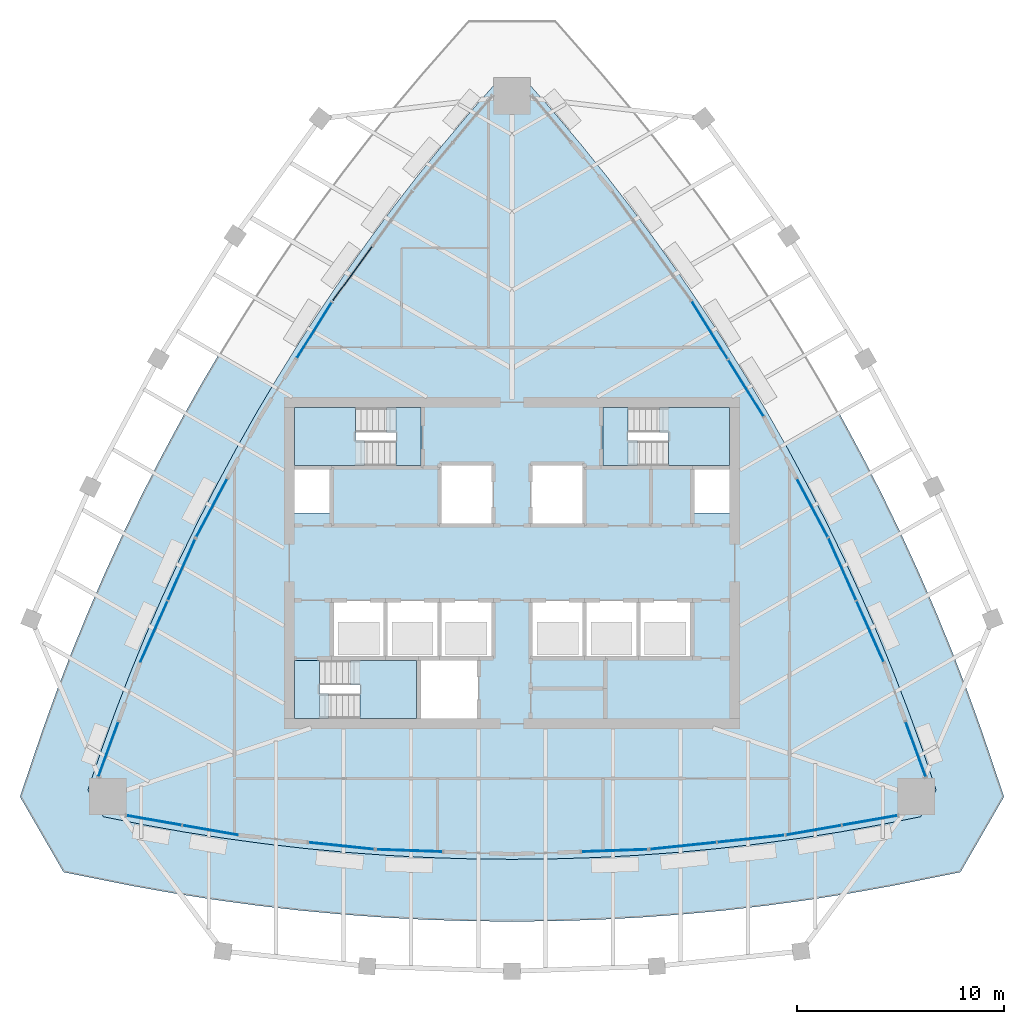
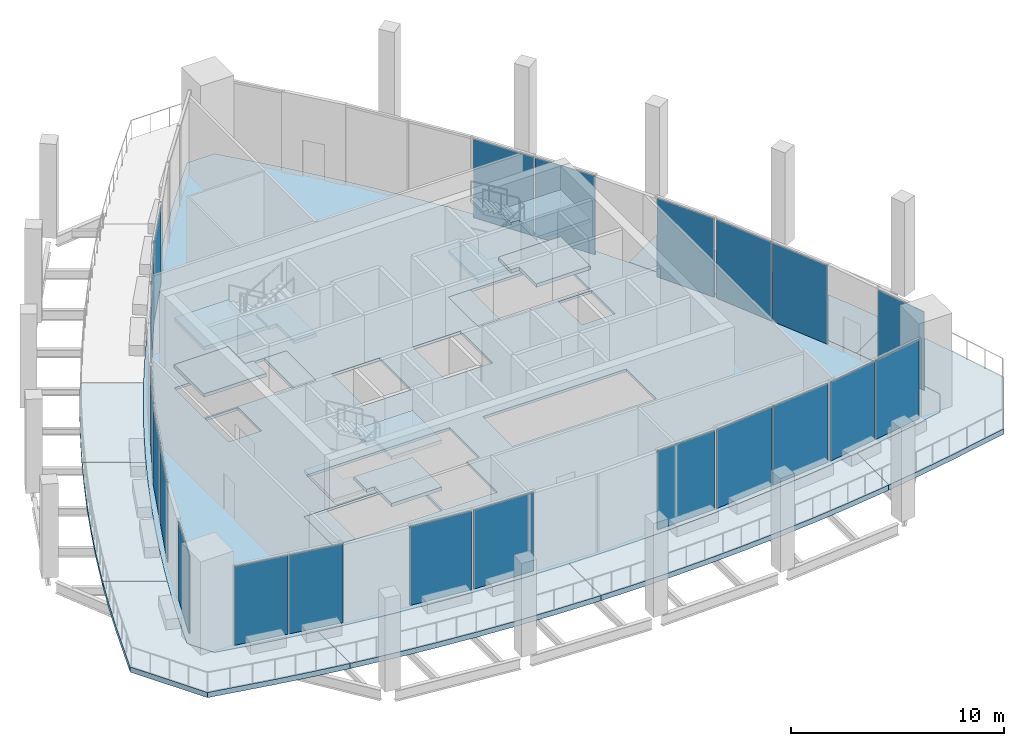
# One storey, part 6 of 14: 21 plates, 20 slabs, 18 elements without a shape of their own.
"""IFC4 building model written with IfcOpenShell, lengths in metres."""

import ifcopenshell
import ifcopenshell.guid

model = None  # the IFC model being written
_history = None  # IfcOwnerHistory: only IFC2X3 demands one
_inside = {}  # id of a spatial element -> (the spatial element, [elements in it])
_under = {}  # id of a project, library or spatial element -> (it, [spatial elements below it])
_declared = {}  # id of a project -> (the project, [libraries it declares])
_typed = {}  # id of a type object -> (the type object, [elements of that type])
_made_of = {}  # id of a material, layer set ... -> (it, [elements and type objects made of it])


def new_model(schema):
    """Start an empty IFC model of exactly this schema.

    Asked for "IFC4X3", IfcOpenShell would pick the latest addendum, in which some entities
    have other attributes; the version numbers below select the first issue.
    IFC2X3 requires an IfcOwnerHistory on every rooted entity: one is made here for all.
    """
    global model, _history
    if schema == "IFC4X3":
        model = ifcopenshell.file(schema_version=(4, 3, 0, 0))
    else:
        model = ifcopenshell.file(schema=schema)
    _inside.clear()
    _under.clear()
    _declared.clear()
    _typed.clear()
    _made_of.clear()
    _history = None
    if model.schema == "IFC2X3":
        org = make("IfcOrganization", Name="unknown")
        user = make(
            "IfcPersonAndOrganization",
            ThePerson=make("IfcPerson", FamilyName="unknown"),
            TheOrganization=org,
        )
        app = make(
            "IfcApplication",
            ApplicationDeveloper=org,
            Version="unknown",
            ApplicationFullName="unknown",
            ApplicationIdentifier="unknown",
        )
        _history = make(
            "IfcOwnerHistory",
            OwningUser=user,
            OwningApplication=app,
            ChangeAction="ADDED",
            CreationDate=0,
        )
    return model


def make(cls, **values):
    """One entity of the class cls with the attributes given. An attribute that is None is left unset."""
    return model.create_entity(
        cls, **{name: value for name, value in values.items() if value is not None}
    )


def rooted(cls, **values):
    """An entity with a GlobalId (a new one), such as an element, a storey or a relation."""
    return make(cls, GlobalId=ifcopenshell.guid.new(), OwnerHistory=_history, **values)


def si_unit(unit_type, name, prefix=None):
    """IfcSIUnit, for example si_unit("LENGTHUNIT", "METRE", prefix="MILLI")."""
    return make("IfcSIUnit", UnitType=unit_type, Prefix=prefix, Name=name)


def assignment(units):
    """IfcUnitAssignment: the units of a project."""
    return None if units is None else make("IfcUnitAssignment", Units=units)


def point(xyz):
    """IfcCartesianPoint."""
    return None if xyz is None else make("IfcCartesianPoint", Coordinates=xyz)


def direction(xyz):
    """IfcDirection."""
    return None if xyz is None else make("IfcDirection", DirectionRatios=xyz)


def frame(location, z_axis=None, x_axis=None):
    """IfcAxis2Placement3D, a coordinate frame: its origin and axes. An axis left out is left unset."""
    return make(
        "IfcAxis2Placement3D",
        Location=point(location),
        Axis=direction(z_axis),
        RefDirection=direction(x_axis),
    )


def frame_2d(location, x_axis=None):
    """IfcAxis2Placement2D, a coordinate frame in the plane: its origin and x axis."""
    return make(
        "IfcAxis2Placement2D", Location=point(location), RefDirection=direction(x_axis)
    )


def origin():
    """The frame at (0, 0, 0) with its axes left unset."""
    return frame((0.0, 0.0, 0.0))


def origin_2d():
    """The frame at (0, 0) in the plane with its x axis left unset."""
    return frame_2d((0.0, 0.0))


def place(relative_to, where):
    """IfcLocalPlacement: puts the frame where relative to a parent placement (None: the world)."""
    return make(
        "IfcLocalPlacement", PlacementRelTo=relative_to, RelativePlacement=where
    )


def context(
    kind, dimensions, precision=None, world=None, true_north=None, identifier=None
):
    """IfcGeometricRepresentationContext, for example the 3D "Model" context."""
    return make(
        "IfcGeometricRepresentationContext",
        ContextIdentifier=identifier,
        ContextType=kind,
        CoordinateSpaceDimension=dimensions,
        Precision=precision,
        WorldCoordinateSystem=world,
        TrueNorth=true_north,
    )


def subcontext(parent, identifier, kind, view, scale=None):
    """IfcGeometricRepresentationSubContext, for example "Body" below "Model"."""
    return make(
        "IfcGeometricRepresentationSubContext",
        ContextIdentifier=identifier,
        ContextType=kind,
        ParentContext=parent,
        TargetScale=scale,
        TargetView=view,
    )


def project(units=None, contexts=None):
    """IfcProject with its units and contexts."""
    return rooted(
        "IfcProject",
        Name="project",
        RepresentationContexts=contexts,
        UnitsInContext=assignment(units),
    )


def spatial(cls, under=None, at=None, **own):
    """A site, building, storey or space (cls), placed at a placement, below another one or the project."""
    s = rooted(cls, ObjectPlacement=at, **own)
    if under is not None:
        _under.setdefault(under.id(), (under, []))[1].append(s)
    return s


def polyline(points):
    """IfcPolyline through the points."""
    return make("IfcPolyline", Points=[point(p) for p in points])


def profile(cls, at=None, kind="AREA", **sizes):
    """A parametric profile (cls). Its sizes go by their IFC names, for example OverallWidth=200.0."""
    return make(cls, ProfileType=kind, Position=at, **sizes)


def rectangle(**sizes):
    """IfcRectangleProfileDef."""
    return profile("IfcRectangleProfileDef", **sizes)


def outline(outer, holes=None, kind="AREA"):
    """IfcArbitraryClosedProfileDef: a profile drawn as a closed curve; with holes, ...WithVoids."""
    if holes is None:
        return make("IfcArbitraryClosedProfileDef", ProfileType=kind, OuterCurve=outer)
    return make(
        "IfcArbitraryProfileDefWithVoids",
        ProfileType=kind,
        OuterCurve=outer,
        InnerCurves=holes,
    )


def extrude(swept, where, along, depth):
    """IfcExtrudedAreaSolid: the profile swept, set in the frame where, extruded along a direction by depth."""
    return make(
        "IfcExtrudedAreaSolid",
        SweptArea=swept,
        Position=where,
        ExtrudedDirection=direction(along),
        Depth=depth,
    )


def shape(context_of_items, identifier, shape_type, items):
    """IfcShapeRepresentation: the items that make up one representation, for example the "Body"."""
    return make(
        "IfcShapeRepresentation",
        ContextOfItems=context_of_items,
        RepresentationIdentifier=identifier,
        RepresentationType=shape_type,
        Items=items,
    )


def material(Name=None, Category=None):
    """IfcMaterial."""
    return make("IfcMaterial", Name=Name, Category=Category)


def layer(
    of_material, thickness, ventilated=None, Name=None, Category=None, Priority=None
):
    """IfcMaterialLayer: one layer of a wall or slab, of a material (None: an air gap)."""
    return make(
        "IfcMaterialLayer",
        Material=of_material,
        LayerThickness=thickness,
        IsVentilated=ventilated,
        Name=Name,
        Category=Category,
        Priority=Priority,
    )


def layer_set(layers, Name=None):
    """IfcMaterialLayerSet."""
    return make("IfcMaterialLayerSet", MaterialLayers=layers, LayerSetName=Name)


def made_of(thing, what):
    """Note that an element or type object is made of a material, layer set ...; save() writes the relation."""
    if what is not None:
        _made_of.setdefault(what.id(), (what, []))[1].append(thing)
    return thing


def type_object(cls, material=None, **own):
    """A type object (cls), such as IfcWallType, which elements share."""
    return made_of(rooted(cls, **own), material)


def element(
    cls,
    number,
    at=None,
    inside=None,
    cuts=None,
    type_object=None,
    material=None,
    context=None,
    identifier="Body",
    shape_type=None,
    held_by="IfcProductDefinitionShape",
    body=None,
    shapes=None,
    **own,
):
    """One element of the class cls, such as IfcWall. Its Tag is "e" and its number.

    at: its placement. inside: the storey or other place that contains it. cuts: it is an
    opening in that element (IfcRelVoidsElement). A single representation is given by context,
    identifier, shape_type and body (its items); several are given by shapes. held_by: the class
    of the entity that holds the representations. save() writes the other relations.
    """
    e = rooted(cls, Tag="e%d" % number, ObjectPlacement=at, **own)
    if body is not None:
        shapes = [shape(context, identifier, shape_type, body)]
    if shapes is not None:
        e.Representation = make(held_by, Representations=shapes)
    if inside is not None:
        _inside.setdefault(inside.id(), (inside, []))[1].append(e)
    if cuts is not None:
        rooted(
            "IfcRelVoidsElement", RelatingBuildingElement=cuts, RelatedOpeningElement=e
        )
    if type_object is not None:
        _typed.setdefault(type_object.id(), (type_object, []))[1].append(e)
    return made_of(e, material)


def aggregate(whole, parts):
    """IfcRelAggregates: a whole, such as a stair, and the parts it consists of."""
    return rooted("IfcRelAggregates", RelatingObject=whole, RelatedObjects=parts)


def save(model, path):
    """Write the relations noted so far, then the file.

    IfcRelAggregates (storeys below a building ...), IfcRelContainedInSpatialStructure (elements
    in a storey), IfcRelDefinesByType, IfcRelAssociatesMaterial and IfcRelDeclares: one each for
    every whole, place, type object, material and project.
    """
    for whole, parts in _under.values():
        aggregate(whole, parts)
    for where, things in _inside.values():
        rooted(
            "IfcRelContainedInSpatialStructure",
            RelatedElements=things,
            RelatingStructure=where,
        )
    for kind, things in _typed.values():
        rooted("IfcRelDefinesByType", RelatedObjects=things, RelatingType=kind)
    for what, things in _made_of.values():
        rooted("IfcRelAssociatesMaterial", RelatedObjects=things, RelatingMaterial=what)
    for by, libraries in _declared.values():
        rooted("IfcRelDeclares", RelatingContext=by, RelatedDefinitions=libraries)
    model.write(path)


model = new_model("IFC4")

# Units and contexts
model_context = context("Model", 3, precision=1e-05, world=origin(), true_north=direction((0.0, 1.0)))
body_context = subcontext(model_context, "Body", "Model", "MODEL_VIEW")
ifc_project = project(units=[si_unit("LENGTHUNIT", "METRE"), si_unit("AREAUNIT", "SQUARE_METRE"), si_unit("VOLUMEUNIT", "CUBIC_METRE"), si_unit("PLANEANGLEUNIT", "RADIAN"), si_unit("MASSUNIT", "GRAM", prefix="KILO")], contexts=[model_context])

# Site, building, storey
site_placement = place(None, origin())
site = spatial("IfcSite", under=ifc_project, at=site_placement, CompositionType="ELEMENT")
building_placement = place(site_placement, origin())
building = spatial("IfcBuilding", under=site, at=building_placement, Name="Sierra Prisma Convention Tower", CompositionType="ELEMENT")
storey_placement = place(building_placement, frame((0.0, 0.0, 339.39990234375)))
storey = spatial("IfcBuildingStorey", under=building, at=storey_placement, Name="L76", CompositionType="ELEMENT", Elevation=339.39990234375)

# Curtain wall, plates
ifc_material_1 = material(Name="Aluminium and glass curtain wall", Category="aluminium")
ifc_layer_1 = layer(ifc_material_1, 0.179931640625)
ifc_layer_set_1 = layer_set([ifc_layer_1], Name="CW-5 Observation lounge curtain wall")
curtain_wall_type = type_object("IfcCurtainWallType", Name="CW-5 Observation lounge curtain wall", PredefinedType="NOTDEFINED", material=ifc_layer_set_1)
curtain_wall_1_placement = place(storey_placement, origin())
curtain_wall_1 = element("IfcCurtainWall", 1, at=curtain_wall_1_placement, inside=storey, type_object=curtain_wall_type, Name="CW-5 CS1 L76", PredefinedType="NOTDEFINED")
ifc_material_2 = material(Name="Tinted glass bronze-grey IGU", Category="glass")
ifc_layer_2 = layer(ifc_material_2, 0.0400390625)
ifc_layer_set_2 = layer_set([ifc_layer_2], Name="CW-5 glass panel")
plate_type = type_object("IfcPlateType", Name="CW-5 glass panel", PredefinedType="CURTAIN_PANEL", material=ifc_layer_set_2)
plate_1_placement = place(storey_placement, frame((-17.27294921875, -12.4189453125, 0.0), z_axis=(0.0, 0.0, 1.0), x_axis=(0.985059501445, -0.172214339159, 0.0)))
plate_1 = element("IfcPlate", 2, at=plate_1_placement, type_object=plate_type, Name="CW-5 panel CS1.1", PredefinedType="CURTAIN_PANEL", context=body_context, shape_type="SweptSolid", body=[
    extrude(rectangle(XDim=2.686767578125, YDim=0.0400390625, at=origin_2d()), origin(), (0.0, 0.0, 1.0), 4.52001953125),
])
plate_2_placement = place(storey_placement, frame((-14.55712890625, -12.893798828125, 0.0), z_axis=(0.0, 0.0, 1.0), x_axis=(0.985059501445, -0.172214339159, 0.0)))
plate_2 = element("IfcPlate", 3, at=plate_2_placement, type_object=plate_type, Name="CW-5 panel CS1.2", PredefinedType="CURTAIN_PANEL", context=body_context, shape_type="SweptSolid", body=[
    extrude(rectangle(XDim=2.686767578125, YDim=0.0400390625, at=origin_2d()), origin(), (0.0, 0.0, 1.0), 4.52001953125),
])
aggregate(curtain_wall_1, [plate_1, plate_2])

# Curtain wall, plate
curtain_wall_2_placement = place(storey_placement, origin())
curtain_wall_2 = element("IfcCurtainWall", 4, at=curtain_wall_2_placement, inside=storey, type_object=curtain_wall_type, Name="CW-5 CS2 L76", PredefinedType="NOTDEFINED")
plate_3_placement = place(storey_placement, frame((-8.239990234375, -13.650390625, 0.0), z_axis=(0.0, 0.0, 1.0), x_axis=(0.994612817709, -0.103659745555, 0.0)))
plate_3 = element("IfcPlate", 5, at=plate_3_placement, type_object=plate_type, Name="CW-5 panel CS2.1", PredefinedType="CURTAIN_PANEL", context=body_context, shape_type="SweptSolid", body=[
    extrude(rectangle(XDim=3.1611328125, YDim=0.0400390625, at=origin_2d()), origin(), (0.0, 0.0, 1.0), 4.52001953125),
])
aggregate(curtain_wall_2, [plate_3])

curtain_wall_3_placement = place(storey_placement, origin())
curtain_wall_3 = element("IfcCurtainWall", 6, at=curtain_wall_3_placement, inside=storey, type_object=curtain_wall_type, Name="CW-5 CS3 L76", PredefinedType="NOTDEFINED")
plate_4_placement = place(storey_placement, frame((-4.94873046875, -13.878662109375, 0.0), z_axis=(0.0, 0.0, 1.0), x_axis=(0.999400945798, -0.034608518301, 0.0)))
plate_4 = element("IfcPlate", 7, at=plate_4_placement, type_object=plate_type, Name="CW-5 panel CS3.1", PredefinedType="CURTAIN_PANEL", context=body_context, shape_type="SweptSolid", body=[
    extrude(rectangle(XDim=3.1611328125, YDim=0.0400390625, at=origin_2d()), origin(), (0.0, 0.0, 1.0), 4.52001953125),
])
aggregate(curtain_wall_3, [plate_4])

curtain_wall_4_placement = place(storey_placement, origin())
curtain_wall_4 = element("IfcCurtainWall", 8, at=curtain_wall_4_placement, inside=storey, type_object=curtain_wall_type, Name="CW-5 CS4 L76", PredefinedType="NOTDEFINED")
plate_5_placement = place(storey_placement, frame((4.94873046875, -13.878662109375, 0.0), z_axis=(0.0, 0.0, 1.0), x_axis=(0.999400945798, 0.034608518301, 0.0)))
plate_5 = element("IfcPlate", 9, at=plate_5_placement, type_object=plate_type, Name="CW-5 panel CS4.1", PredefinedType="CURTAIN_PANEL", context=body_context, shape_type="SweptSolid", body=[
    extrude(rectangle(XDim=3.1611328125, YDim=0.0400390625, at=origin_2d()), origin(), (0.0, 0.0, 1.0), 4.52001953125),
])
aggregate(curtain_wall_4, [plate_5])

# Curtain wall, plates
curtain_wall_5_placement = place(storey_placement, origin())
curtain_wall_5 = element("IfcCurtainWall", 10, at=curtain_wall_5_placement, inside=storey, type_object=curtain_wall_type, Name="CW-5 CS5 L76", PredefinedType="NOTDEFINED")
plate_6_placement = place(storey_placement, frame((8.25732421875, -13.648681640625, 0.0), z_axis=(0.0, 0.0, 1.0), x_axis=(0.994612817709, 0.103659745555, 0.0)))
plate_6 = element("IfcPlate", 11, at=plate_6_placement, type_object=plate_type, Name="CW-5 panel CS5.1", PredefinedType="CURTAIN_PANEL", context=body_context, shape_type="SweptSolid", body=[
    extrude(rectangle(XDim=3.196044921875, YDim=0.0400390625, at=origin_2d()), origin(), (0.0, 0.0, 1.0), 4.52001953125),
])
plate_7_placement = place(storey_placement, frame((11.505859375, -13.31005859375, 0.0), z_axis=(0.0, 0.0, 1.0), x_axis=(0.994612817709, 0.103659745555, 0.0)))
plate_7 = element("IfcPlate", 12, at=plate_7_placement, type_object=plate_type, Name="CW-5 panel CS5.2", PredefinedType="CURTAIN_PANEL", context=body_context, shape_type="SweptSolid", body=[
    extrude(rectangle(XDim=3.196044921875, YDim=0.0400390625, at=origin_2d()), origin(), (0.0, 0.0, 1.0), 4.52001953125),
])
aggregate(curtain_wall_5, [plate_6, plate_7])

curtain_wall_6_placement = place(storey_placement, origin())
curtain_wall_6 = element("IfcCurtainWall", 13, at=curtain_wall_6_placement, inside=storey, type_object=curtain_wall_type, Name="CW-5 CS6 L76", PredefinedType="NOTDEFINED")
plate_8_placement = place(storey_placement, frame((14.55712890625, -12.893798828125, 0.0), z_axis=(0.0, 0.0, 1.0), x_axis=(0.985059501445, 0.172214339159, 0.0)))
plate_8 = element("IfcPlate", 14, at=plate_8_placement, type_object=plate_type, Name="CW-5 panel CS6.1", PredefinedType="CURTAIN_PANEL", context=body_context, shape_type="SweptSolid", body=[
    extrude(rectangle(XDim=2.686767578125, YDim=0.0400390625, at=origin_2d()), origin(), (0.0, 0.0, 1.0), 4.52001953125),
])
plate_9_placement = place(storey_placement, frame((17.272705078125, -12.4189453125, 0.0), z_axis=(0.0, 0.0, 1.0), x_axis=(0.985059501445, 0.172214339159, 0.0)))
plate_9 = element("IfcPlate", 15, at=plate_9_placement, type_object=plate_type, Name="CW-5 panel CS6.2", PredefinedType="CURTAIN_PANEL", context=body_context, shape_type="SweptSolid", body=[
    extrude(rectangle(XDim=2.686767578125, YDim=0.0400390625, at=origin_2d()), origin(), (0.0, 0.0, 1.0), 4.52001953125),
])
aggregate(curtain_wall_6, [plate_8, plate_9])

# Curtain wall, plate
curtain_wall_7_placement = place(storey_placement, origin())
curtain_wall_7 = element("IfcCurtainWall", 16, at=curtain_wall_7_placement, inside=storey, type_object=curtain_wall_type, Name="CW-5 CNE1 L76", PredefinedType="NOTDEFINED")
plate_10_placement = place(storey_placement, frame((19.480224609375, -8.991455078125, 0.0), z_axis=(0.0, 0.0, 1.0), x_axis=(-0.343387758115, 0.939193722071, 0.0)))
plate_10 = element("IfcPlate", 17, at=plate_10_placement, type_object=plate_type, Name="CW-5 panel CNE1.1", PredefinedType="CURTAIN_PANEL", context=body_context, shape_type="SweptSolid", body=[
    extrude(rectangle(XDim=2.812255859375, YDim=0.0400390625, at=origin_2d()), origin(), (0.0, 0.0, 1.0), 4.52001953125),
])
aggregate(curtain_wall_7, [plate_10])

# Curtain wall, plates
curtain_wall_8_placement = place(storey_placement, origin())
curtain_wall_8 = element("IfcCurtainWall", 18, at=curtain_wall_8_placement, inside=storey, type_object=curtain_wall_type, Name="CW-5 CNE2 L76", PredefinedType="NOTDEFINED")
plate_11_placement = place(storey_placement, frame((17.27978515625, -3.309326171875, 0.0), z_axis=(0.0, 0.0, 1.0), x_axis=(-0.407534435854, 0.913189839843, 0.0)))
plate_11 = element("IfcPlate", 19, at=plate_11_placement, type_object=plate_type, Name="CW-5 panel CNE2.1", PredefinedType="CURTAIN_PANEL", context=body_context, shape_type="SweptSolid", body=[
    extrude(rectangle(XDim=3.196044921875, YDim=0.0400390625, at=origin_2d()), origin(), (0.0, 0.0, 1.0), 4.52001953125),
])
plate_12_placement = place(storey_placement, frame((15.94873046875, -0.32666015625, 0.0), z_axis=(0.0, 0.0, 1.0), x_axis=(-0.407534435854, 0.913189839843, 0.0)))
plate_12 = element("IfcPlate", 20, at=plate_12_placement, type_object=plate_type, Name="CW-5 panel CNE2.2", PredefinedType="CURTAIN_PANEL", context=body_context, shape_type="SweptSolid", body=[
    extrude(rectangle(XDim=3.196044921875, YDim=0.0400390625, at=origin_2d()), origin(), (0.0, 0.0, 1.0), 4.52001953125),
])
aggregate(curtain_wall_8, [plate_11, plate_12])

# Curtain wall, plate
curtain_wall_9_placement = place(storey_placement, origin())
curtain_wall_9 = element("IfcCurtainWall", 21, at=curtain_wall_9_placement, inside=storey, type_object=curtain_wall_type, Name="CW-5 CNE3 L76", PredefinedType="NOTDEFINED")
plate_13_placement = place(storey_placement, frame((14.49365234375, 2.653564453125, 0.0), z_axis=(0.0, 0.0, 1.0), x_axis=(-0.469728616863, 0.882810866777, 0.0)))
plate_13 = element("IfcPlate", 22, at=plate_13_placement, type_object=plate_type, Name="CW-5 panel CNE3.1", PredefinedType="CURTAIN_PANEL", context=body_context, shape_type="SweptSolid", body=[
    extrude(rectangle(XDim=3.1611328125, YDim=0.0400390625, at=origin_2d()), origin(), (0.0, 0.0, 1.0), 4.52001953125),
])
aggregate(curtain_wall_9, [plate_13])

# Curtain wall, plates
curtain_wall_10_placement = place(storey_placement, origin())
curtain_wall_10 = element("IfcCurtainWall", 23, at=curtain_wall_10_placement, inside=storey, type_object=curtain_wall_type, Name="CW-5 CNE4 L76", PredefinedType="NOTDEFINED")
plate_14_placement = place(storey_placement, frame((11.2841796875, 8.43994140625, 0.0), z_axis=(0.0, 0.0, 1.0), x_axis=(-0.529672328935, 0.848202348476, 0.0)))
plate_14 = element("IfcPlate", 24, at=plate_14_placement, type_object=plate_type, Name="CW-5 panel CNE4.1", PredefinedType="CURTAIN_PANEL", context=body_context, shape_type="SweptSolid", body=[
    extrude(rectangle(XDim=3.196044921875, YDim=0.0400390625, at=origin_2d()), origin(), (0.0, 0.0, 1.0), 4.52001953125),
])
plate_15_placement = place(storey_placement, frame((9.55419921875, 11.210205078125, 0.0), z_axis=(0.0, 0.0, 1.0), x_axis=(-0.529672328935, 0.848202348476, 0.0)))
plate_15 = element("IfcPlate", 25, at=plate_15_placement, type_object=plate_type, Name="CW-5 panel CNE4.2", PredefinedType="CURTAIN_PANEL", context=body_context, shape_type="SweptSolid", body=[
    extrude(rectangle(XDim=3.196044921875, YDim=0.0400390625, at=origin_2d()), origin(), (0.0, 0.0, 1.0), 4.52001953125),
])
aggregate(curtain_wall_10, [plate_14, plate_15])

# Curtain wall, plate
curtain_wall_11_placement = place(storey_placement, origin())
curtain_wall_11 = element("IfcCurtainWall", 26, at=curtain_wall_11_placement, inside=storey, type_object=curtain_wall_type, Name="CW-5 CNW2 L76", PredefinedType="NOTDEFINED")
plate_16_placement = place(storey_placement, frame((-7.69140625, 13.975341796875, 0.0), z_axis=(0.0, 0.0, 1.0), x_axis=(-0.587078381855, -0.809530094288, 0.0)))
plate_16 = element("IfcPlate", 27, at=plate_16_placement, type_object=plate_type, Name="CW-5 panel CNW2.2", PredefinedType="CURTAIN_PANEL", context=body_context, shape_type="SweptSolid", body=[
    extrude(rectangle(XDim=3.196044921875, YDim=0.0400390625, at=origin_2d()), origin(), (0.0, 0.0, 1.0), 4.52001953125),
])
aggregate(curtain_wall_11, [plate_16])

curtain_wall_12_placement = place(storey_placement, origin())
curtain_wall_12 = element("IfcCurtainWall", 28, at=curtain_wall_12_placement, inside=storey, type_object=curtain_wall_type, Name="CW-5 CNW3 L76", PredefinedType="NOTDEFINED")
plate_17_placement = place(storey_placement, frame((-9.544921875, 11.22509765625, 0.0), z_axis=(0.0, 0.0, 1.0), x_axis=(-0.529672328935, -0.848202348476, 0.0)))
plate_17 = element("IfcPlate", 29, at=plate_17_placement, type_object=plate_type, Name="CW-5 panel CNW3.1", PredefinedType="CURTAIN_PANEL", context=body_context, shape_type="SweptSolid", body=[
    extrude(rectangle(XDim=3.1611328125, YDim=0.0400390625, at=origin_2d()), origin(), (0.0, 0.0, 1.0), 4.52001953125),
])
aggregate(curtain_wall_12, [plate_17])

curtain_wall_13_placement = place(storey_placement, origin())
curtain_wall_13 = element("IfcCurtainWall", 30, at=curtain_wall_13_placement, inside=storey, type_object=curtain_wall_type, Name="CW-5 CNW4 L76", PredefinedType="NOTDEFINED")
plate_18_placement = place(storey_placement, frame((-14.49365234375, 2.653564453125, 0.0), z_axis=(0.0, 0.0, 1.0), x_axis=(-0.469728616863, -0.882810866777, 0.0)))
plate_18 = element("IfcPlate", 31, at=plate_18_placement, type_object=plate_type, Name="CW-5 panel CNW4.1", PredefinedType="CURTAIN_PANEL", context=body_context, shape_type="SweptSolid", body=[
    extrude(rectangle(XDim=3.1611328125, YDim=0.0400390625, at=origin_2d()), origin(), (0.0, 0.0, 1.0), 4.52001953125),
])
aggregate(curtain_wall_13, [plate_18])

# Curtain wall, plates
curtain_wall_14_placement = place(storey_placement, origin())
curtain_wall_14 = element("IfcCurtainWall", 32, at=curtain_wall_14_placement, inside=storey, type_object=curtain_wall_type, Name="CW-5 CNW5 L76", PredefinedType="NOTDEFINED")
plate_19_placement = place(storey_placement, frame((-15.94873046875, -0.32666015625, 0.0), z_axis=(0.0, 0.0, 1.0), x_axis=(-0.407534435854, -0.913189839843, 0.0)))
plate_19 = element("IfcPlate", 33, at=plate_19_placement, type_object=plate_type, Name="CW-5 panel CNW5.1", PredefinedType="CURTAIN_PANEL", context=body_context, shape_type="SweptSolid", body=[
    extrude(rectangle(XDim=3.196044921875, YDim=0.0400390625, at=origin_2d()), origin(), (0.0, 0.0, 1.0), 4.52001953125),
])
plate_20_placement = place(storey_placement, frame((-17.27978515625, -3.309326171875, 0.0), z_axis=(0.0, 0.0, 1.0), x_axis=(-0.407534435854, -0.913189839843, 0.0)))
plate_20 = element("IfcPlate", 34, at=plate_20_placement, type_object=plate_type, Name="CW-5 panel CNW5.2", PredefinedType="CURTAIN_PANEL", context=body_context, shape_type="SweptSolid", body=[
    extrude(rectangle(XDim=3.196044921875, YDim=0.0400390625, at=origin_2d()), origin(), (0.0, 0.0, 1.0), 4.52001953125),
])
aggregate(curtain_wall_14, [plate_19, plate_20])

# Curtain wall, plate
curtain_wall_15_placement = place(storey_placement, origin())
curtain_wall_15 = element("IfcCurtainWall", 35, at=curtain_wall_15_placement, inside=storey, type_object=curtain_wall_type, Name="CW-5 CNW6 L76", PredefinedType="NOTDEFINED")
plate_21_placement = place(storey_placement, frame((-19.479736328125, -8.99072265625, 0.0), z_axis=(0.0, 0.0, 1.0), x_axis=(-0.343387758115, -0.939193722071, 0.0)))
plate_21 = element("IfcPlate", 36, at=plate_21_placement, type_object=plate_type, Name="CW-5 panel CNW6.1", PredefinedType="CURTAIN_PANEL", context=body_context, shape_type="SweptSolid", body=[
    extrude(rectangle(XDim=2.811767578125, YDim=0.0400390625, at=origin_2d()), origin(), (0.0, 0.0, 1.0), 4.52001953125),
])
aggregate(curtain_wall_15, [plate_21])

# Slabs
ifc_material_3 = material(Name="Concrete C35/45", Category="concrete")
ifc_layer_3 = layer(ifc_material_3, 0.14990234375)
ifc_layer_set_3 = layer_set([ifc_layer_3], Name="Composite floor slab 150")
slab_type_1 = type_object("IfcSlabType", Name="Composite floor slab 150", PredefinedType="FLOOR", material=ifc_layer_set_3)
slab_1_placement = place(storey_placement, frame((0.0, 0.0, -0.14990234375)))
element("IfcSlab", 37, at=slab_1_placement, inside=storey, type_object=slab_type_1, Name="Floor slab L76 floor", PredefinedType="FLOOR", context=body_context, shape_type="SweptSolid", body=[
    extrude(outline(polyline([(-19.719970703125, -12.244873046875), (-17.772216796875, -12.634033203125), (-15.81689453125, -12.98291015625), (-13.854736328125, -13.291015625), (-11.88671875, -13.558349609375), (-9.913330078125, -13.784912109375), (-7.935791015625, -13.97021484375), (-5.954833984375, -14.114501953125), (-3.971435546875, -14.217529296875), (-1.986083984375, -14.279296875), (0.0, -14.300048828125), (1.986083984375, -14.279296875), (3.971435546875, -14.217529296875), (5.954833984375, -14.114501953125), (7.935791015625, -13.97021484375), (9.913330078125, -13.784912109375), (11.88671875, -13.558349609375), (13.854736328125, -13.291015625), (15.81689453125, -12.98291015625), (17.772216796875, -12.634033203125), (19.719970703125, -12.244873046875), (20.46435546875, -10.95556640625), (19.82763671875, -9.07421875), (19.152099609375, -7.206298828125), (18.437744140625, -5.35302734375), (17.685302734375, -3.514892578125), (16.894775390625, -1.69287109375), (16.06640625, 0.112548828125), (15.200927734375, 1.900146484375), (14.29833984375, 3.66943359375), (13.359375, 5.419677734375), (12.38427734375, 7.14990234375), (11.373291015625, 8.859619140625), (10.3271484375, 10.548095703125), (9.24609375, 12.21435546875), (8.130615234375, 13.857666015625), (6.981201171875, 15.4775390625), (5.798583984375, 17.0732421875), (4.5830078125, 18.64404296875), (3.335205078125, 20.189453125), (2.055419921875, 21.708251953125), (0.744384765625, 23.200439453125), (-0.744384765625, 23.200439453125), (-2.055419921875, 21.708251953125), (-3.335205078125, 20.189453125), (-4.5830078125, 18.64404296875), (-5.798583984375, 17.0732421875), (-6.981201171875, 15.4775390625), (-8.130615234375, 13.857666015625), (-9.24609375, 12.21435546875), (-10.3271484375, 10.548095703125), (-11.373291015625, 8.859619140625), (-12.38427734375, 7.14990234375), (-13.359375, 5.419677734375), (-14.29833984375, 3.66943359375), (-15.200927734375, 1.900146484375), (-16.06640625, 0.112548828125), (-16.894775390625, -1.69287109375), (-17.685302734375, -3.514892578125), (-18.437744140625, -5.35302734375), (-19.152099609375, -7.206298828125), (-19.82763671875, -9.07421875), (-20.46435546875, -10.95556640625), (-19.719970703125, -12.244873046875)]), holes=[polyline([(-4.60009765625, -4.699951171875), (-4.60009765625, -7.5), (-10.5, -7.5), (-10.5, -4.699951171875), (-4.60009765625, -4.699951171875)]), polyline([(-4.5, -7.5), (-4.5, -4.60009765625), (-6.10009765625, -4.60009765625), (-8.699951171875, -4.60009765625), (-8.699951171875, -1.800048828125), (-6.10009765625, -1.800048828125), (-3.5, -1.800048828125), (-0.89990234375, -1.800048828125), (-0.89990234375, -4.60009765625), (-1.60009765625, -4.60009765625), (-1.60009765625, -7.5), (-4.5, -7.5)]), polyline([(-8.699951171875, 2.39990234375), (-10.5, 2.39990234375), (-10.5, 4.60009765625), (-8.699951171875, 4.60009765625), (-8.699951171875, 2.39990234375)]), polyline([(-4.39990234375, 4.699951171875), (-10.5, 4.699951171875), (-10.5, 7.5), (-4.39990234375, 7.5), (-4.39990234375, 4.699951171875)]), polyline([(3.5, -1.800048828125), (6.10009765625, -1.800048828125), (8.699951171875, -1.800048828125), (8.699951171875, -4.60009765625), (6.10009765625, -4.60009765625), (3.5, -4.60009765625), (0.89990234375, -4.60009765625), (0.89990234375, -1.800048828125), (3.5, -1.800048828125)]), polyline([(-0.89990234375, 1.800048828125), (-3.5, 1.800048828125), (-3.5, 4.800048828125), (-0.89990234375, 4.800048828125), (-0.89990234375, 1.800048828125)]), polyline([(3.5, 1.800048828125), (0.89990234375, 1.800048828125), (0.89990234375, 4.800048828125), (3.5, 4.800048828125), (3.5, 1.800048828125)]), polyline([(10.5, 2.39990234375), (8.699951171875, 2.39990234375), (8.699951171875, 4.60009765625), (10.5, 4.60009765625), (10.5, 2.39990234375)]), polyline([(10.5, 4.699951171875), (4.39990234375, 4.699951171875), (4.39990234375, 7.5), (10.5, 7.5), (10.5, 4.699951171875)])]), origin(), (0.0, 0.0, 1.0), 0.14990234375),
])
ifc_material_4 = material(Name="Concrete C50/60", Category="concrete")
ifc_layer_4 = layer(ifc_material_4, 0.300048828125)
ifc_layer_set_4 = layer_set([ifc_layer_4], Name="Observation deck slab")
slab_type_2 = type_object("IfcSlabType", Name="Observation deck slab", PredefinedType="FLOOR", material=ifc_layer_set_4)
slab_2_placement = place(storey_placement, frame((0.0, 0.0, -0.2998046875)))
element("IfcSlab", 38, at=slab_2_placement, inside=storey, type_object=slab_type_2, Name="Observation deck slab L76", PredefinedType="FLOOR", context=body_context, shape_type="SweptSolid", body=[
    extrude(outline(polyline([(-20.44970703125, -2.349365234375), (-20.0986328125, -1.5400390625), (-19.63427734375, -0.47021484375), (-18.7802734375, 1.391845703125), (-18.756591796875, 1.4404296875), (-17.887451171875, 3.235595703125), (-17.312744140625, 4.3623046875), (-14.711181640625, 2.8603515625), (-15.200927734375, 1.900146484375), (-16.06640625, 0.112548828125), (-16.14794921875, -0.0654296875), (-16.894775390625, -1.69287109375), (-17.4833984375, -3.0498046875), (-17.685302734375, -3.514892578125), (-18.437744140625, -5.35302734375), (-18.721923828125, -6.09033203125), (-21.351806640625, -4.57177734375), (-21.225830078125, -4.2451171875), (-20.44970703125, -2.349365234375)])), origin(), (0.0, 0.0, 1.0), 0.2998046875),
])
slab_3_placement = place(storey_placement, frame((0.0, 0.0, -0.2998046875)))
element("IfcSlab", 39, at=slab_3_placement, inside=storey, type_object=slab_type_2, Name="Observation deck slab L76", PredefinedType="FLOOR", context=body_context, shape_type="SweptSolid", body=[
    extrude(outline(polyline([(-22.659423828125, -8.0830078125), (-21.962646484375, -6.15673828125), (-21.351806640625, -4.57177734375), (-18.721923828125, -6.09033203125), (-19.152099609375, -7.206298828125), (-19.82763671875, -9.07421875), (-19.865234375, -9.185546875), (-20.46435546875, -10.95556640625), (-19.719970703125, -12.244873046875), (-17.8876953125, -12.611083984375), (-17.772216796875, -12.634033203125), (-15.81689453125, -12.98291015625), (-14.63525390625, -13.16845703125), (-14.63525390625, -16.205322265625), (-16.313232421875, -15.94189453125), (-18.329833984375, -15.58203125), (-21.63916015625, -14.92041015625), (-23.7412109375, -11.27978515625), (-22.659423828125, -8.0830078125)])), origin(), (0.0, 0.0, 1.0), 0.2998046875),
])
slab_4_placement = place(storey_placement, frame((0.0, 0.0, -0.2998046875)))
element("IfcSlab", 40, at=slab_4_placement, inside=storey, type_object=slab_type_2, Name="Observation deck slab L76", PredefinedType="FLOOR", context=body_context, shape_type="SweptSolid", body=[
    extrude(outline(polyline([(-4.095947265625, -17.215087890625), (-4.87841796875, -17.17431640625), (-6.1416015625, -17.108642578125), (-8.130615234375, -16.9638671875), (-8.184814453125, -16.9599609375), (-10.224365234375, -16.768798828125), (-11.383056640625, -16.635986328125), (-12.259521484375, -16.535400390625), (-14.289306640625, -16.259521484375), (-14.63525390625, -16.205322265625), (-14.63525390625, -13.16845703125), (-13.854736328125, -13.291015625), (-11.88671875, -13.558349609375), (-11.383056640625, -13.6162109375), (-9.913330078125, -13.784912109375), (-8.130615234375, -13.951904296875), (-7.935791015625, -13.97021484375), (-5.954833984375, -14.114501953125), (-4.87841796875, -14.17041015625), (-3.971435546875, -14.217529296875), (-1.986083984375, -14.279296875), (-1.626220703125, -14.283203125), (-1.626220703125, -17.283203125), (-2.04833984375, -17.27880859375), (-4.095947265625, -17.215087890625)])), origin(), (0.0, 0.0, 1.0), 0.2998046875),
])
slab_5_placement = place(storey_placement, frame((0.0, 0.0, -0.2998046875)))
element("IfcSlab", 41, at=slab_5_placement, inside=storey, type_object=slab_type_2, Name="Observation deck slab L76", PredefinedType="FLOOR", context=body_context, shape_type="SweptSolid", body=[
    extrude(outline(polyline([(-1.626220703125, -17.283203125), (-1.626220703125, -14.283203125), (0.0, -14.300048828125), (1.626220703125, -14.283203125), (1.986083984375, -14.279296875), (3.971435546875, -14.217529296875), (4.87841796875, -14.17041015625), (5.954833984375, -14.114501953125), (7.935791015625, -13.97021484375), (8.130615234375, -13.951904296875), (9.913330078125, -13.784912109375), (11.383056640625, -13.6162109375), (11.88671875, -13.558349609375), (13.854736328125, -13.291015625), (14.63525390625, -13.16845703125), (14.63525390625, -16.205322265625), (14.289306640625, -16.259521484375), (12.259521484375, -16.535400390625), (11.383056640625, -16.635986328125), (10.224365234375, -16.768798828125), (8.184814453125, -16.9599609375), (8.130615234375, -16.9638671875), (6.1416015625, -17.108642578125), (4.87841796875, -17.17431640625), (4.095947265625, -17.215087890625), (2.04833984375, -17.27880859375), (1.626220703125, -17.283203125), (0.0, -17.300048828125), (-1.626220703125, -17.283203125)])), origin(), (0.0, 0.0, 1.0), 0.2998046875),
])
slab_6_placement = place(storey_placement, frame((0.0, 0.0, -0.2998046875)))
element("IfcSlab", 42, at=slab_6_placement, inside=storey, type_object=slab_type_2, Name="Observation deck slab L76", PredefinedType="FLOOR", context=body_context, shape_type="SweptSolid", body=[
    extrude(outline(polyline([(21.351806640625, -4.57177734375), (21.962646484375, -6.15673828125), (22.659423828125, -8.0830078125), (23.7412109375, -11.27978515625), (21.63916015625, -14.92041015625), (18.329833984375, -15.58203125), (16.313232421875, -15.94189453125), (14.63525390625, -16.205322265625), (14.63525390625, -13.16845703125), (15.81689453125, -12.98291015625), (17.772216796875, -12.634033203125), (17.8876953125, -12.611083984375), (19.719970703125, -12.244873046875), (20.46435546875, -10.95556640625), (19.865234375, -9.185546875), (19.82763671875, -9.07421875), (19.152099609375, -7.206298828125), (18.721923828125, -6.09033203125), (21.351806640625, -4.57177734375)])), origin(), (0.0, 0.0, 1.0), 0.2998046875),
])
slab_7_placement = place(storey_placement, frame((0.0, 0.0, -0.2998046875)))
element("IfcSlab", 43, at=slab_7_placement, inside=storey, type_object=slab_type_2, Name="Observation deck slab L76", PredefinedType="FLOOR", context=body_context, shape_type="SweptSolid", body=[
    extrude(outline(polyline([(21.225830078125, -4.2451171875), (21.351806640625, -4.57177734375), (18.721923828125, -6.09033203125), (18.437744140625, -5.35302734375), (17.685302734375, -3.514892578125), (17.4833984375, -3.0498046875), (16.894775390625, -1.69287109375), (16.14794921875, -0.0654296875), (16.06640625, 0.112548828125), (15.200927734375, 1.900146484375), (14.711181640625, 2.8603515625), (14.29833984375, 3.66943359375), (13.359375, 5.419677734375), (13.1826171875, 5.733154296875), (15.78076171875, 7.2333984375), (15.98828125, 6.865478515625), (16.95654296875, 5.060302734375), (17.312744140625, 4.3623046875), (17.887451171875, 3.235595703125), (18.756591796875, 1.4404296875), (18.7802734375, 1.391845703125), (19.63427734375, -0.47021484375), (20.0986328125, -1.5400390625), (20.44970703125, -2.349365234375), (21.225830078125, -4.2451171875)])), origin(), (0.0, 0.0, 1.0), 0.2998046875),
])
slab_8_placement = place(storey_placement, frame((0.0, 0.0, -0.2998046875)))
element("IfcSlab", 44, at=slab_8_placement, inside=storey, type_object=slab_type_2, Name="Observation deck slab L76", PredefinedType="FLOOR", context=body_context, shape_type="SweptSolid", body=[
    extrude(outline(polyline([(-16.95654296875, 5.060302734375), (-15.98828125, 6.865478515625), (-15.78076171875, 7.2333984375), (-14.982421875, 8.650146484375), (-14.15478515625, 10.0498046875), (-11.556396484375, 8.5498046875), (-12.38427734375, 7.14990234375), (-13.1826171875, 5.733154296875), (-13.359375, 5.419677734375), (-14.29833984375, 3.66943359375), (-14.711181640625, 2.8603515625), (-17.312744140625, 4.3623046875), (-16.95654296875, 5.060302734375)])), origin(), (0.0, 0.0, 1.0), 0.2998046875),
])

# Stair, slabs
ifc_material_5 = material(Name="Concrete C30/37", Category="concrete")
stair_type = type_object("IfcStairType", Name="Stair dog-leg 1200 RC", PredefinedType="HALF_TURN_STAIR", material=ifc_material_5)
stair_1_placement = place(storey_placement, origin())
stair_1 = element("IfcStair", 45, at=stair_1_placement, inside=storey, type_object=stair_type, Name="L76 S1", PredefinedType="HALF_TURN_STAIR")
ifc_material_6 = material(Name="Concrete C35/45", Category="concrete")
ifc_layer_5 = layer(ifc_material_6, 0.199951171875)
ifc_layer_set_5 = layer_set([ifc_layer_5], Name="Stair landing slab")
slab_type_3 = type_object("IfcSlabType", Name="Stair landing slab", PredefinedType="LANDING", material=ifc_layer_set_5)
slab_9_placement = place(storey_placement, frame((0.0, 0.0, 1.150146484375)))
slab_9 = element("IfcSlab", 46, at=slab_9_placement, type_object=slab_type_3, Name="S1 landing 1", PredefinedType="LANDING", context=body_context, shape_type="SweptSolid", body=[
    extrude(outline(polyline([(-4.60009765625, -4.699951171875), (-4.60009765625, -7.5), (-7.342041015625, -7.5), (-7.342041015625, -5.89990234375), (-7.7900390625, -5.89990234375), (-7.7900390625, -4.699951171875), (-4.60009765625, -4.699951171875)])), origin(), (0.0, 0.0, 1.0), 0.199951171875),
])
slab_10_placement = place(storey_placement, frame((0.0, 0.0, 2.5)))
slab_10 = element("IfcSlab", 47, at=slab_10_placement, type_object=slab_type_3, Name="S1 landing 2", PredefinedType="LANDING", context=body_context, shape_type="SweptSolid", body=[
    extrude(outline(polyline([(-10.5, -7.5), (-10.5, -4.699951171875), (-9.298095703125, -4.699951171875), (-9.298095703125, -6.300048828125), (-8.85009765625, -6.300048828125), (-8.85009765625, -7.5), (-10.5, -7.5)])), origin(), (0.0, 0.0, 1.0), 0.2001953125),
])
slab_11_placement = place(storey_placement, frame((0.0, 0.0, 3.85009765625)))
slab_11 = element("IfcSlab", 48, at=slab_11_placement, type_object=slab_type_3, Name="S1 landing 3", PredefinedType="LANDING", context=body_context, shape_type="SweptSolid", body=[
    extrude(outline(polyline([(-4.60009765625, -4.699951171875), (-4.60009765625, -7.5), (-7.342041015625, -7.5), (-7.342041015625, -5.89990234375), (-7.7900390625, -5.89990234375), (-7.7900390625, -4.699951171875), (-4.60009765625, -4.699951171875)])), origin(), (0.0, 0.0, 1.0), 0.199951171875),
])
aggregate(stair_1, [slab_9, slab_10, slab_11])

# Slab
slab_12_placement = place(storey_placement, frame((0.0, 0.0, -0.199951171875)))
element("IfcSlab", 49, at=slab_12_placement, inside=storey, type_object=slab_type_3, Name="S1 floor landing L76", PredefinedType="LANDING", context=body_context, shape_type="SweptSolid", body=[
    extrude(outline(polyline([(-10.5, -7.5), (-9.298095703125, -7.5), (-9.298095703125, -4.699951171875), (-10.5, -4.699951171875), (-10.5, -7.5)])), origin(), (0.0, 0.0, 1.0), 0.199951171875),
])

# Stair, slabs
stair_2_placement = place(storey_placement, origin())
stair_2 = element("IfcStair", 50, at=stair_2_placement, inside=storey, type_object=stair_type, Name="L76 S3", PredefinedType="HALF_TURN_STAIR")
slab_13_placement = place(storey_placement, frame((0.0, 0.0, 1.150146484375)))
slab_13 = element("IfcSlab", 51, at=slab_13_placement, type_object=slab_type_3, Name="S3 landing 1", PredefinedType="LANDING", context=body_context, shape_type="SweptSolid", body=[
    extrude(outline(polyline([(-7.110107421875, 5.89990234375), (-7.110107421875, 4.699951171875), (-10.5, 4.699951171875), (-10.5, 7.5), (-7.55810546875, 7.5), (-7.55810546875, 5.89990234375), (-7.110107421875, 5.89990234375)])), origin(), (0.0, 0.0, 1.0), 0.199951171875),
])
slab_14_placement = place(storey_placement, frame((0.0, 0.0, 2.5)))
slab_14 = element("IfcSlab", 52, at=slab_14_placement, type_object=slab_type_3, Name="S3 landing 2", PredefinedType="LANDING", context=body_context, shape_type="SweptSolid", body=[
    extrude(outline(polyline([(-4.39990234375, 7.5), (-4.39990234375, 4.699951171875), (-5.60205078125, 4.699951171875), (-5.60205078125, 6.300048828125), (-6.050048828125, 6.300048828125), (-6.050048828125, 7.5), (-4.39990234375, 7.5)])), origin(), (0.0, 0.0, 1.0), 0.2001953125),
])
slab_15_placement = place(storey_placement, frame((0.0, 0.0, 3.85009765625)))
slab_15 = element("IfcSlab", 53, at=slab_15_placement, type_object=slab_type_3, Name="S3 landing 3", PredefinedType="LANDING", context=body_context, shape_type="SweptSolid", body=[
    extrude(outline(polyline([(-7.110107421875, 5.89990234375), (-7.110107421875, 4.699951171875), (-10.5, 4.699951171875), (-10.5, 7.5), (-7.55810546875, 7.5), (-7.55810546875, 5.89990234375), (-7.110107421875, 5.89990234375)])), origin(), (0.0, 0.0, 1.0), 0.199951171875),
])
aggregate(stair_2, [slab_13, slab_14, slab_15])

# Slab
slab_16_placement = place(storey_placement, frame((0.0, 0.0, -0.199951171875)))
element("IfcSlab", 54, at=slab_16_placement, inside=storey, type_object=slab_type_3, Name="S3 floor landing L76", PredefinedType="LANDING", context=body_context, shape_type="SweptSolid", body=[
    extrude(outline(polyline([(-4.39990234375, 7.5), (-5.60205078125, 7.5), (-5.60205078125, 4.699951171875), (-4.39990234375, 4.699951171875), (-4.39990234375, 7.5)])), origin(), (0.0, 0.0, 1.0), 0.199951171875),
])

# Stair, slabs
stair_3_placement = place(storey_placement, origin())
stair_3 = element("IfcStair", 55, at=stair_3_placement, inside=storey, type_object=stair_type, Name="L76 S4", PredefinedType="HALF_TURN_STAIR")
slab_17_placement = place(storey_placement, frame((0.0, 0.0, 1.150146484375)))
slab_17 = element("IfcSlab", 56, at=slab_17_placement, type_object=slab_type_3, Name="S4 landing 1", PredefinedType="LANDING", context=body_context, shape_type="SweptSolid", body=[
    extrude(outline(polyline([(10.5, 7.5), (10.5, 4.699951171875), (7.55810546875, 4.699951171875), (7.55810546875, 6.300048828125), (7.110107421875, 6.300048828125), (7.110107421875, 7.5), (10.5, 7.5)])), origin(), (0.0, 0.0, 1.0), 0.199951171875),
])
slab_18_placement = place(storey_placement, frame((0.0, 0.0, 2.5)))
slab_18 = element("IfcSlab", 57, at=slab_18_placement, type_object=slab_type_3, Name="S4 landing 2", PredefinedType="LANDING", context=body_context, shape_type="SweptSolid", body=[
    extrude(outline(polyline([(4.39990234375, 4.699951171875), (4.39990234375, 7.5), (5.60205078125, 7.5), (5.60205078125, 5.89990234375), (6.050048828125, 5.89990234375), (6.050048828125, 4.699951171875), (4.39990234375, 4.699951171875)])), origin(), (0.0, 0.0, 1.0), 0.2001953125),
])
slab_19_placement = place(storey_placement, frame((0.0, 0.0, 3.85009765625)))
slab_19 = element("IfcSlab", 58, at=slab_19_placement, type_object=slab_type_3, Name="S4 landing 3", PredefinedType="LANDING", context=body_context, shape_type="SweptSolid", body=[
    extrude(outline(polyline([(10.5, 7.5), (10.5, 4.699951171875), (7.55810546875, 4.699951171875), (7.55810546875, 6.300048828125), (7.110107421875, 6.300048828125), (7.110107421875, 7.5), (10.5, 7.5)])), origin(), (0.0, 0.0, 1.0), 0.199951171875),
])
aggregate(stair_3, [slab_17, slab_18, slab_19])

# Slab
slab_20_placement = place(storey_placement, frame((0.0, 0.0, -0.199951171875)))
element("IfcSlab", 59, at=slab_20_placement, inside=storey, type_object=slab_type_3, Name="S4 floor landing L76", PredefinedType="LANDING", context=body_context, shape_type="SweptSolid", body=[
    extrude(outline(polyline([(4.39990234375, 4.699951171875), (5.60205078125, 4.699951171875), (5.60205078125, 7.5), (4.39990234375, 7.5), (4.39990234375, 4.699951171875)])), origin(), (0.0, 0.0, 1.0), 0.199951171875),
])

save(model, "model.ifc")
